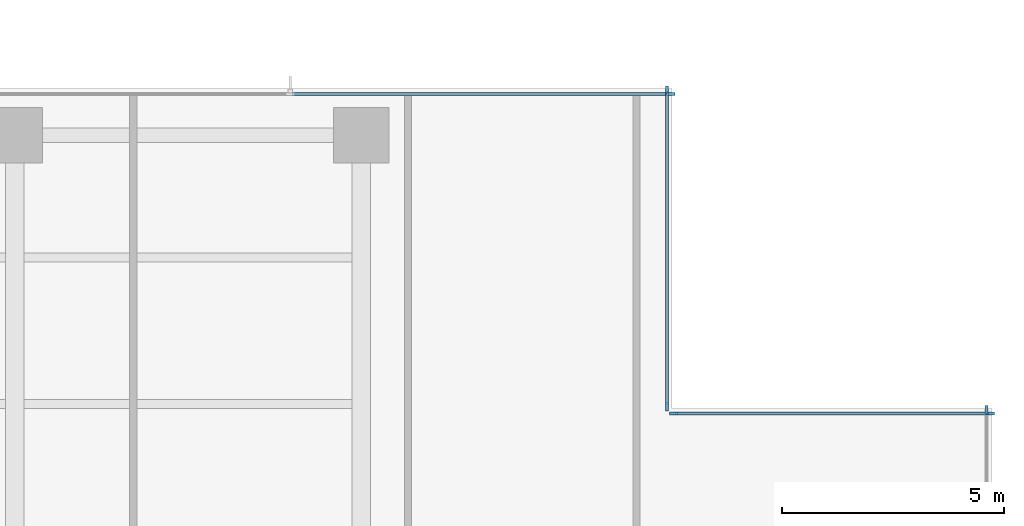
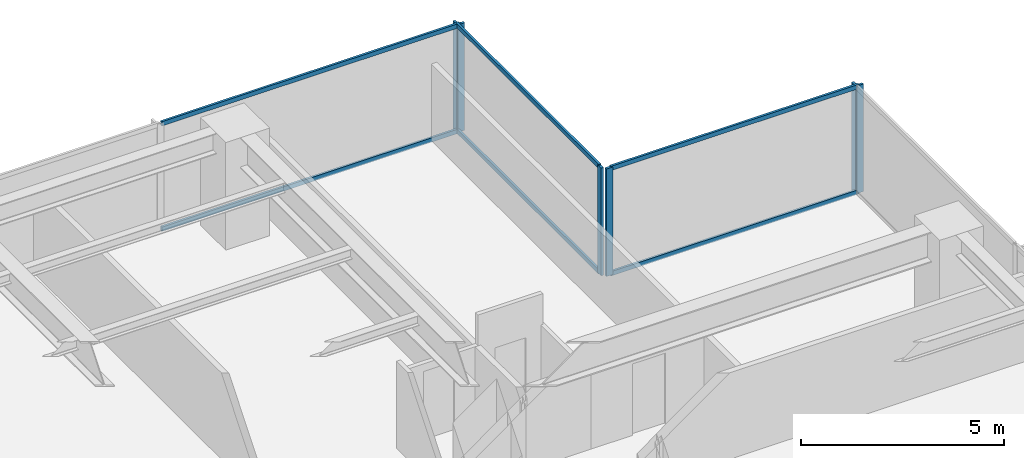
# One storey, part 6 of 17: 12 members, 4 elements without a shape of their own.
"""IFC4 building model written with IfcOpenShell, lengths in metres."""

from ifc_helpers import new_model, si_unit, direction, frame, origin, origin_2d, place, context, subcontext, project, spatial, rectangle, extrude, material, layer, layer_set, material_profile, profile_set, type_object, element, aggregate, save


model = new_model("IFC4")

# Units and contexts
model_context = context("Model", 3, precision=1e-05, world=origin(), true_north=direction((0.0, 1.0)))
body_context = subcontext(model_context, "Body", "Model", "MODEL_VIEW")
ifc_project = project(units=[si_unit("LENGTHUNIT", "METRE"), si_unit("AREAUNIT", "SQUARE_METRE"), si_unit("VOLUMEUNIT", "CUBIC_METRE"), si_unit("PLANEANGLEUNIT", "RADIAN"), si_unit("MASSUNIT", "GRAM", prefix="KILO")], contexts=[model_context])

# Site, building, storey
site_placement = place(None, origin())
site = spatial("IfcSite", under=ifc_project, at=site_placement, CompositionType="ELEMENT")
building_placement = place(site_placement, origin())
building = spatial("IfcBuilding", under=site, at=building_placement, Name="Qalmaran Belvedere Hotel", CompositionType="ELEMENT")
storey_placement = place(building_placement, frame((0.0, 0.0, 109.199951171875)))
storey = spatial("IfcBuildingStorey", under=building, at=storey_placement, Name="L27", CompositionType="ELEMENT", Elevation=109.199951171875)

# Curtain wall, member
ifc_material = material(Name="Anodised Bronze Aluminium", Category="aluminium")
ifc_layer = layer(ifc_material, 0.199951171875, Name="Anodised Bronze Aluminium")
ifc_layer_set = layer_set([ifc_layer], Name="Anodised Bronze Aluminium")
curtain_wall_type = type_object("IfcCurtainWallType", Name="CW3-TOWER-LOWMID", PredefinedType="NOTDEFINED", material=ifc_layer_set)
curtain_wall_1_placement = place(storey_placement, origin())
curtain_wall_1 = element("IfcCurtainWall", 1, at=curtain_wall_1_placement, inside=storey, type_object=curtain_wall_type, Name="L27 Curtain Wall CW3", PredefinedType="NOTDEFINED")
ifc_material_profile_1 = material_profile(ifc_material, rectangle(XDim=0.070068359375, YDim=0.18994140625, at=origin_2d()), Name="CWM70X190")
ifc_profile_set_1 = profile_set([ifc_material_profile_1], Name="Anodised Bronze Aluminium")
member_type_1 = type_object("IfcMemberType", Name="CWM-70X190", PredefinedType="MULLION", material=ifc_profile_set_1)
member_1_placement = place(storey_placement, frame((58.8798828125, 39.264892578125, 0.0), z_axis=(0.0, 0.0, 1.0), x_axis=(-1.0, 0.0, 0.0)))
member_1 = element("IfcMember", 2, at=member_1_placement, type_object=member_type_1, Name="CW3 mullion 5", PredefinedType="MULLION", context=body_context, shape_type="SweptSolid", body=[
    extrude(rectangle(XDim=0.070068359375, YDim=0.18994140625, at=origin_2d()), origin(), (0.0, 0.0, 1.0), 3.239990234375),
])
aggregate(curtain_wall_1, [member_1])

# Curtain wall, members
curtain_wall_2_placement = place(storey_placement, origin())
curtain_wall_2 = element("IfcCurtainWall", 3, at=curtain_wall_2_placement, inside=storey, type_object=curtain_wall_type, Name="L27 Curtain Wall CW3", PredefinedType="NOTDEFINED")
member_2_placement = place(storey_placement, frame((58.965087890625, 39.179931640625, 0.0), z_axis=(0.0, 0.0, 1.0), x_axis=(0.0, -1.0, 0.0)))
member_2 = element("IfcMember", 4, at=member_2_placement, type_object=member_type_1, Name="CW3 mullion 1", PredefinedType="MULLION", context=body_context, shape_type="SweptSolid", body=[
    extrude(rectangle(XDim=0.070068359375, YDim=0.18994140625, at=origin_2d()), origin(), (0.0, 0.0, 1.0), 3.239990234375),
])
member_3_placement = place(storey_placement, frame((51.8349609375, 39.179931640625, 0.0), z_axis=(0.0, 0.0, 1.0), x_axis=(0.0, -1.0, 0.0)))
member_3 = element("IfcMember", 5, at=member_3_placement, type_object=member_type_1, Name="CW3 mullion 2", PredefinedType="MULLION", context=body_context, shape_type="SweptSolid", body=[
    extrude(rectangle(XDim=0.070068359375, YDim=0.18994140625, at=origin_2d()), origin(), (0.0, 0.0, 1.0), 3.239990234375),
])

curtain_wall_3_placement = place(storey_placement, origin())
curtain_wall_3 = element("IfcCurtainWall", 6, at=curtain_wall_3_placement, inside=storey, type_object=curtain_wall_type, Name="L27 Curtain Wall CW3", PredefinedType="NOTDEFINED")
member_4_placement = place(storey_placement, frame((51.679931640625, 39.3349609375, 0.0), z_axis=(0.0, 0.0, 1.0), x_axis=(-1.0, 0.0, 0.0)))
member_4 = element("IfcMember", 7, at=member_4_placement, type_object=member_type_1, Name="CW3 mullion 1", PredefinedType="MULLION", context=body_context, shape_type="SweptSolid", body=[
    extrude(rectangle(XDim=0.070068359375, YDim=0.18994140625, at=origin_2d()), origin(), (0.0, 0.0, 1.0), 3.239990234375),
])
member_5_placement = place(storey_placement, frame((51.679931640625, 46.465087890625, 0.0), z_axis=(0.0, 0.0, 1.0), x_axis=(-1.0, 0.0, 0.0)))
member_5 = element("IfcMember", 8, at=member_5_placement, type_object=member_type_1, Name="CW3 mullion 2", PredefinedType="MULLION", context=body_context, shape_type="SweptSolid", body=[
    extrude(rectangle(XDim=0.070068359375, YDim=0.18994140625, at=origin_2d()), origin(), (0.0, 0.0, 1.0), 3.239990234375),
])

# Curtain wall, member
curtain_wall_4_placement = place(storey_placement, origin())
curtain_wall_4 = element("IfcCurtainWall", 9, at=curtain_wall_4_placement, inside=storey, type_object=curtain_wall_type, Name="L27 Curtain Wall CW3", PredefinedType="NOTDEFINED")
member_6_placement = place(storey_placement, frame((51.764892578125, 46.3798828125, 0.0), z_axis=(0.0, 0.0, 1.0), x_axis=(0.0, -1.0, 0.0)))
member_6 = element("IfcMember", 10, at=member_6_placement, type_object=member_type_1, Name="CW3 mullion 1", PredefinedType="MULLION", context=body_context, shape_type="SweptSolid", body=[
    extrude(rectangle(XDim=0.070068359375, YDim=0.18994140625, at=origin_2d()), origin(), (0.0, 0.0, 1.0), 3.239990234375),
])

# Member
ifc_material_profile_2 = material_profile(ifc_material, rectangle(XDim=0.06494140625, YDim=0.1298828125, at=origin_2d()), Name="CWT65X130")
ifc_profile_set_2 = profile_set([ifc_material_profile_2], Name="Anodised Bronze Aluminium")
member_type_2 = type_object("IfcMemberType", Name="CWT-65X130", PredefinedType="USERDEFINED", material=ifc_profile_set_2)
member_7_placement = place(storey_placement, frame((58.929931640625, 39.179931640625, 0.032470703125), z_axis=(-1.0, 0.0, 0.0), x_axis=(0.0, -1.0, 0.0)))
member_7 = element("IfcMember", 11, at=member_7_placement, type_object=member_type_2, Name="CW3 transom 1.1", ObjectType="TRANSOM", PredefinedType="USERDEFINED", context=body_context, shape_type="SweptSolid", body=[
    extrude(rectangle(XDim=0.06494140625, YDim=0.1298828125, at=origin_2d()), origin(), (0.0, 0.0, 1.0), 7.059814453125),
])

member_8_placement = place(storey_placement, frame((58.929931640625, 39.179931640625, 3.20751953125), z_axis=(-1.0, 0.0, 0.0), x_axis=(0.0, -1.0, 0.0)))
member_8 = element("IfcMember", 12, at=member_8_placement, type_object=member_type_2, Name="CW3 transom 1.2", ObjectType="TRANSOM", PredefinedType="USERDEFINED", context=body_context, shape_type="SweptSolid", body=[
    extrude(rectangle(XDim=0.06494140625, YDim=0.1298828125, at=origin_2d()), origin(), (0.0, 0.0, 1.0), 7.059814453125),
])

aggregate(curtain_wall_2, [member_2, member_3, member_7, member_8])

member_9_placement = place(storey_placement, frame((51.679931640625, 39.3701171875, 0.032470703125), z_axis=(0.0, 1.0, 0.0), x_axis=(-1.0, 0.0, 0.0)))
member_9 = element("IfcMember", 13, at=member_9_placement, type_object=member_type_2, Name="CW3 transom 1.1", ObjectType="TRANSOM", PredefinedType="USERDEFINED", context=body_context, shape_type="SweptSolid", body=[
    extrude(rectangle(XDim=0.06494140625, YDim=0.1298828125, at=origin_2d()), origin(), (0.0, 0.0, 1.0), 7.059814453125),
])

member_10_placement = place(storey_placement, frame((51.679931640625, 39.3701171875, 3.20751953125), z_axis=(0.0, 1.0, 0.0), x_axis=(-1.0, 0.0, 0.0)))
member_10 = element("IfcMember", 14, at=member_10_placement, type_object=member_type_2, Name="CW3 transom 1.2", ObjectType="TRANSOM", PredefinedType="USERDEFINED", context=body_context, shape_type="SweptSolid", body=[
    extrude(rectangle(XDim=0.06494140625, YDim=0.1298828125, at=origin_2d()), origin(), (0.0, 0.0, 1.0), 7.059814453125),
])

aggregate(curtain_wall_3, [member_4, member_5, member_9, member_10])

member_11_placement = place(storey_placement, frame((51.72998046875, 46.3798828125, 0.032470703125), z_axis=(-1.0, 0.0, 0.0), x_axis=(0.0, -1.0, 0.0)))
member_11 = element("IfcMember", 15, at=member_11_placement, type_object=member_type_2, Name="CW3 transom 1.1", ObjectType="TRANSOM", PredefinedType="USERDEFINED", context=body_context, shape_type="SweptSolid", body=[
    extrude(rectangle(XDim=0.06494140625, YDim=0.1298828125, at=origin_2d()), origin(), (0.0, 0.0, 1.0), 8.494873046875),
])

member_12_placement = place(storey_placement, frame((51.72998046875, 46.3798828125, 3.20751953125), z_axis=(-1.0, 0.0, 0.0), x_axis=(0.0, -1.0, 0.0)))
member_12 = element("IfcMember", 16, at=member_12_placement, type_object=member_type_2, Name="CW3 transom 1.2", ObjectType="TRANSOM", PredefinedType="USERDEFINED", context=body_context, shape_type="SweptSolid", body=[
    extrude(rectangle(XDim=0.06494140625, YDim=0.1298828125, at=origin_2d()), origin(), (0.0, 0.0, 1.0), 8.494873046875),
])

aggregate(curtain_wall_4, [member_6, member_11, member_12])

save(model, "model.ifc")
